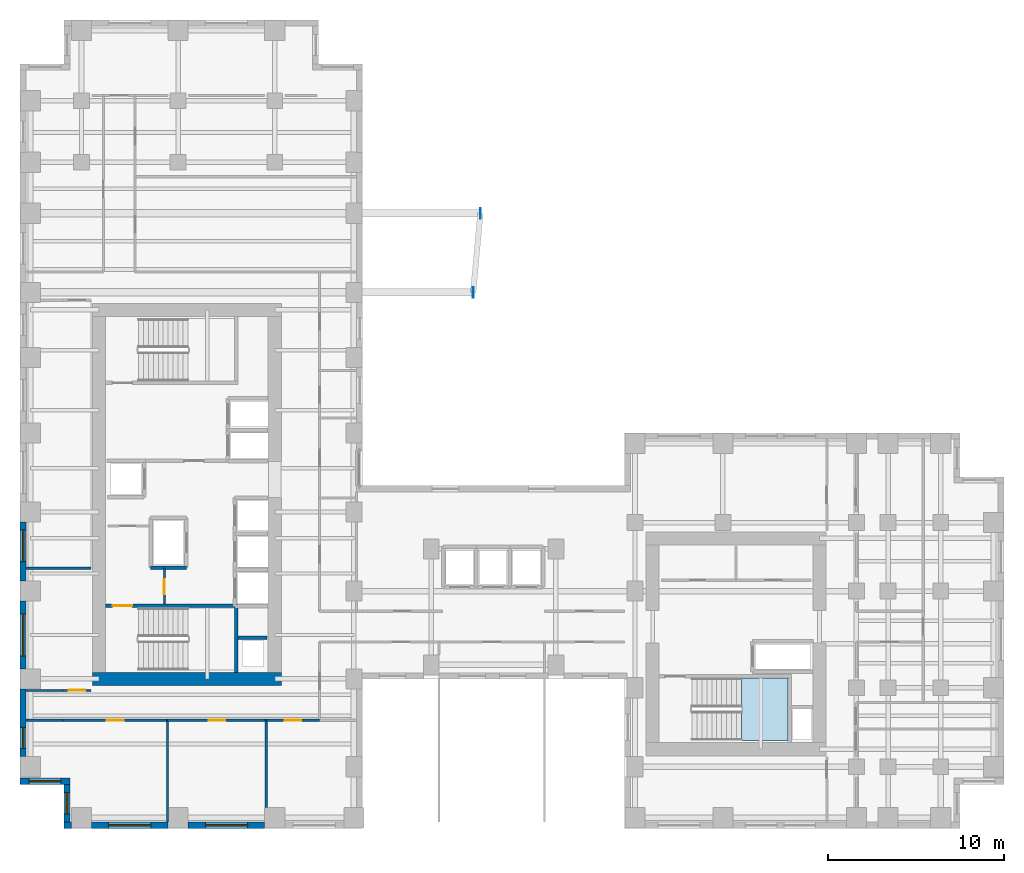
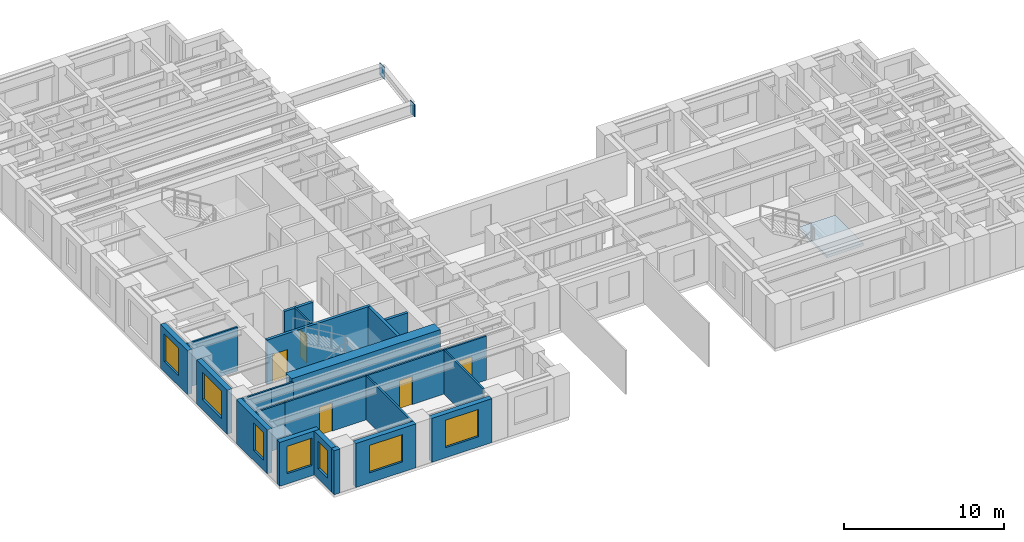
# One storey, part 5 of 13: 23 walls, 7 windows, 6 doors, 2 plates, 1 slab, 13 openings, 1 element without a shape of its own.
"""IFC4 building model written with IfcOpenShell, lengths in metres."""

import ifcopenshell
import ifcopenshell.guid

model = None  # the IFC model being written
_history = None  # IfcOwnerHistory: only IFC2X3 demands one
_inside = {}  # id of a spatial element -> (the spatial element, [elements in it])
_under = {}  # id of a project, library or spatial element -> (it, [spatial elements below it])
_declared = {}  # id of a project -> (the project, [libraries it declares])
_typed = {}  # id of a type object -> (the type object, [elements of that type])
_made_of = {}  # id of a material, layer set ... -> (it, [elements and type objects made of it])


def new_model(schema):
    """Start an empty IFC model of exactly this schema.

    Asked for "IFC4X3", IfcOpenShell would pick the latest addendum, in which some entities
    have other attributes; the version numbers below select the first issue.
    IFC2X3 requires an IfcOwnerHistory on every rooted entity: one is made here for all.
    """
    global model, _history
    if schema == "IFC4X3":
        model = ifcopenshell.file(schema_version=(4, 3, 0, 0))
    else:
        model = ifcopenshell.file(schema=schema)
    _inside.clear()
    _under.clear()
    _declared.clear()
    _typed.clear()
    _made_of.clear()
    _history = None
    if model.schema == "IFC2X3":
        org = make("IfcOrganization", Name="unknown")
        user = make(
            "IfcPersonAndOrganization",
            ThePerson=make("IfcPerson", FamilyName="unknown"),
            TheOrganization=org,
        )
        app = make(
            "IfcApplication",
            ApplicationDeveloper=org,
            Version="unknown",
            ApplicationFullName="unknown",
            ApplicationIdentifier="unknown",
        )
        _history = make(
            "IfcOwnerHistory",
            OwningUser=user,
            OwningApplication=app,
            ChangeAction="ADDED",
            CreationDate=0,
        )
    return model


def make(cls, **values):
    """One entity of the class cls with the attributes given. An attribute that is None is left unset."""
    return model.create_entity(
        cls, **{name: value for name, value in values.items() if value is not None}
    )


def rooted(cls, **values):
    """An entity with a GlobalId (a new one), such as an element, a storey or a relation."""
    return make(cls, GlobalId=ifcopenshell.guid.new(), OwnerHistory=_history, **values)


def si_unit(unit_type, name, prefix=None):
    """IfcSIUnit, for example si_unit("LENGTHUNIT", "METRE", prefix="MILLI")."""
    return make("IfcSIUnit", UnitType=unit_type, Prefix=prefix, Name=name)


def assignment(units):
    """IfcUnitAssignment: the units of a project."""
    return None if units is None else make("IfcUnitAssignment", Units=units)


def point(xyz):
    """IfcCartesianPoint."""
    return None if xyz is None else make("IfcCartesianPoint", Coordinates=xyz)


def direction(xyz):
    """IfcDirection."""
    return None if xyz is None else make("IfcDirection", DirectionRatios=xyz)


def frame(location, z_axis=None, x_axis=None):
    """IfcAxis2Placement3D, a coordinate frame: its origin and axes. An axis left out is left unset."""
    return make(
        "IfcAxis2Placement3D",
        Location=point(location),
        Axis=direction(z_axis),
        RefDirection=direction(x_axis),
    )


def frame_2d(location, x_axis=None):
    """IfcAxis2Placement2D, a coordinate frame in the plane: its origin and x axis."""
    return make(
        "IfcAxis2Placement2D", Location=point(location), RefDirection=direction(x_axis)
    )


def origin():
    """The frame at (0, 0, 0) with its axes left unset."""
    return frame((0.0, 0.0, 0.0))


def origin_2d():
    """The frame at (0, 0) in the plane with its x axis left unset."""
    return frame_2d((0.0, 0.0))


def place(relative_to, where):
    """IfcLocalPlacement: puts the frame where relative to a parent placement (None: the world)."""
    return make(
        "IfcLocalPlacement", PlacementRelTo=relative_to, RelativePlacement=where
    )


def context(
    kind, dimensions, precision=None, world=None, true_north=None, identifier=None
):
    """IfcGeometricRepresentationContext, for example the 3D "Model" context."""
    return make(
        "IfcGeometricRepresentationContext",
        ContextIdentifier=identifier,
        ContextType=kind,
        CoordinateSpaceDimension=dimensions,
        Precision=precision,
        WorldCoordinateSystem=world,
        TrueNorth=true_north,
    )


def subcontext(parent, identifier, kind, view, scale=None):
    """IfcGeometricRepresentationSubContext, for example "Body" below "Model"."""
    return make(
        "IfcGeometricRepresentationSubContext",
        ContextIdentifier=identifier,
        ContextType=kind,
        ParentContext=parent,
        TargetScale=scale,
        TargetView=view,
    )


def project(units=None, contexts=None):
    """IfcProject with its units and contexts."""
    return rooted(
        "IfcProject",
        Name="project",
        RepresentationContexts=contexts,
        UnitsInContext=assignment(units),
    )


def spatial(cls, under=None, at=None, **own):
    """A site, building, storey or space (cls), placed at a placement, below another one or the project."""
    s = rooted(cls, ObjectPlacement=at, **own)
    if under is not None:
        _under.setdefault(under.id(), (under, []))[1].append(s)
    return s


def polyline(points):
    """IfcPolyline through the points."""
    return make("IfcPolyline", Points=[point(p) for p in points])


def profile(cls, at=None, kind="AREA", **sizes):
    """A parametric profile (cls). Its sizes go by their IFC names, for example OverallWidth=200.0."""
    return make(cls, ProfileType=kind, Position=at, **sizes)


def rectangle(**sizes):
    """IfcRectangleProfileDef."""
    return profile("IfcRectangleProfileDef", **sizes)


def outline(outer, holes=None, kind="AREA"):
    """IfcArbitraryClosedProfileDef: a profile drawn as a closed curve; with holes, ...WithVoids."""
    if holes is None:
        return make("IfcArbitraryClosedProfileDef", ProfileType=kind, OuterCurve=outer)
    return make(
        "IfcArbitraryProfileDefWithVoids",
        ProfileType=kind,
        OuterCurve=outer,
        InnerCurves=holes,
    )


def extrude(swept, where, along, depth):
    """IfcExtrudedAreaSolid: the profile swept, set in the frame where, extruded along a direction by depth."""
    return make(
        "IfcExtrudedAreaSolid",
        SweptArea=swept,
        Position=where,
        ExtrudedDirection=direction(along),
        Depth=depth,
    )


def shape(context_of_items, identifier, shape_type, items):
    """IfcShapeRepresentation: the items that make up one representation, for example the "Body"."""
    return make(
        "IfcShapeRepresentation",
        ContextOfItems=context_of_items,
        RepresentationIdentifier=identifier,
        RepresentationType=shape_type,
        Items=items,
    )


def source(mapping_origin, context_of_items, identifier, shape_type, items):
    """IfcRepresentationMap: a shape defined once, which mapped items show again and again."""
    return make(
        "IfcRepresentationMap",
        MappingOrigin=mapping_origin,
        MappedRepresentation=shape(context_of_items, identifier, shape_type, items),
    )


def transform(
    local_origin,
    x_axis=None,
    y_axis=None,
    z_axis=None,
    scale=None,
    scale2=None,
    scale3=None,
    uniform=True,
):
    """IfcCartesianTransformationOperator3D, or its non-uniform kind. x_axis, y_axis, z_axis: its Axis1, 2, 3."""
    if uniform:
        return make(
            "IfcCartesianTransformationOperator3D",
            Axis1=direction(x_axis),
            Axis2=direction(y_axis),
            LocalOrigin=point(local_origin),
            Scale=scale,
            Axis3=direction(z_axis),
        )
    return make(
        "IfcCartesianTransformationOperator3DnonUniform",
        Axis1=direction(x_axis),
        Axis2=direction(y_axis),
        LocalOrigin=point(local_origin),
        Scale=scale,
        Axis3=direction(z_axis),
        Scale2=scale2,
        Scale3=scale3,
    )


def mapped(mapping_source, mapping_target):
    """IfcMappedItem: shows the shape of a source again, moved by a transform."""
    return make(
        "IfcMappedItem", MappingSource=mapping_source, MappingTarget=mapping_target
    )


def material(Name=None, Category=None):
    """IfcMaterial."""
    return make("IfcMaterial", Name=Name, Category=Category)


def layer(
    of_material, thickness, ventilated=None, Name=None, Category=None, Priority=None
):
    """IfcMaterialLayer: one layer of a wall or slab, of a material (None: an air gap)."""
    return make(
        "IfcMaterialLayer",
        Material=of_material,
        LayerThickness=thickness,
        IsVentilated=ventilated,
        Name=Name,
        Category=Category,
        Priority=Priority,
    )


def layer_set(layers, Name=None):
    """IfcMaterialLayerSet."""
    return make("IfcMaterialLayerSet", MaterialLayers=layers, LayerSetName=Name)


def made_of(thing, what):
    """Note that an element or type object is made of a material, layer set ...; save() writes the relation."""
    if what is not None:
        _made_of.setdefault(what.id(), (what, []))[1].append(thing)
    return thing


def type_object(cls, material=None, **own):
    """A type object (cls), such as IfcWallType, which elements share."""
    return made_of(rooted(cls, **own), material)


def element(
    cls,
    number,
    at=None,
    inside=None,
    cuts=None,
    type_object=None,
    material=None,
    context=None,
    identifier="Body",
    shape_type=None,
    held_by="IfcProductDefinitionShape",
    body=None,
    shapes=None,
    **own,
):
    """One element of the class cls, such as IfcWall. Its Tag is "e" and its number.

    at: its placement. inside: the storey or other place that contains it. cuts: it is an
    opening in that element (IfcRelVoidsElement). A single representation is given by context,
    identifier, shape_type and body (its items); several are given by shapes. held_by: the class
    of the entity that holds the representations. save() writes the other relations.
    """
    e = rooted(cls, Tag="e%d" % number, ObjectPlacement=at, **own)
    if body is not None:
        shapes = [shape(context, identifier, shape_type, body)]
    if shapes is not None:
        e.Representation = make(held_by, Representations=shapes)
    if inside is not None:
        _inside.setdefault(inside.id(), (inside, []))[1].append(e)
    if cuts is not None:
        rooted(
            "IfcRelVoidsElement", RelatingBuildingElement=cuts, RelatedOpeningElement=e
        )
    if type_object is not None:
        _typed.setdefault(type_object.id(), (type_object, []))[1].append(e)
    return made_of(e, material)


def fill(opening, filler):
    """IfcRelFillsElement: the door or window that sits in an opening."""
    return rooted(
        "IfcRelFillsElement",
        RelatingOpeningElement=opening,
        RelatedBuildingElement=filler,
    )


def aggregate(whole, parts):
    """IfcRelAggregates: a whole, such as a stair, and the parts it consists of."""
    return rooted("IfcRelAggregates", RelatingObject=whole, RelatedObjects=parts)


def save(model, path):
    """Write the relations noted so far, then the file.

    IfcRelAggregates (storeys below a building ...), IfcRelContainedInSpatialStructure (elements
    in a storey), IfcRelDefinesByType, IfcRelAssociatesMaterial and IfcRelDeclares: one each for
    every whole, place, type object, material and project.
    """
    for whole, parts in _under.values():
        aggregate(whole, parts)
    for where, things in _inside.values():
        rooted(
            "IfcRelContainedInSpatialStructure",
            RelatedElements=things,
            RelatingStructure=where,
        )
    for kind, things in _typed.values():
        rooted("IfcRelDefinesByType", RelatedObjects=things, RelatingType=kind)
    for what, things in _made_of.values():
        rooted("IfcRelAssociatesMaterial", RelatedObjects=things, RelatingMaterial=what)
    for by, libraries in _declared.values():
        rooted("IfcRelDeclares", RelatingContext=by, RelatedDefinitions=libraries)
    model.write(path)


model = new_model("IFC4")

# Units and contexts
model_context = context("Model", 3, precision=1e-05, world=origin(), true_north=direction((0.0, 1.0)))
body_context = subcontext(model_context, "Body", "Model", "MODEL_VIEW")
ifc_project = project(units=[si_unit("LENGTHUNIT", "METRE"), si_unit("AREAUNIT", "SQUARE_METRE"), si_unit("VOLUMEUNIT", "CUBIC_METRE"), si_unit("PLANEANGLEUNIT", "RADIAN"), si_unit("MASSUNIT", "GRAM", prefix="KILO")], contexts=[model_context])

# Site, building, storey
site_placement = place(None, origin())
site = spatial("IfcSite", under=ifc_project, at=site_placement, CompositionType="ELEMENT")
building_placement = place(site_placement, origin())
building = spatial("IfcBuilding", under=site, at=building_placement, Name="Kharzan Plaza Tower", CompositionType="ELEMENT")
storey_placement = place(building_placement, frame((0.0, 0.0, 95.39990234375)))
storey = spatial("IfcBuildingStorey", under=building, at=storey_placement, Name="L25", CompositionType="ELEMENT", Elevation=95.39990234375)

# Stair, slab
ifc_material_1 = material(Name="Concrete C40/50", Category="concrete")
stair_type = type_object("IfcStairType", Name="STR-ST-3", PredefinedType="HALF_TURN_STAIR", material=ifc_material_1)
stair_placement = place(storey_placement, origin())
stair = element("IfcStair", 1, at=stair_placement, inside=storey, type_object=stair_type, Name="L25 Protected Exit Stair ST-3", PredefinedType="HALF_TURN_STAIR")
ifc_layer_1 = layer(ifc_material_1, 0.219970703125)
ifc_layer_set_1 = layer_set([ifc_layer_1], Name="Concrete C40/50")
slab_type = type_object("IfcSlabType", Name="SL-LANDING-220", PredefinedType="LANDING", material=ifc_layer_set_1)
slab_placement = place(storey_placement, frame((0.0, 0.0, 1.60009765625)))
slab = element("IfcSlab", 2, at=slab_placement, type_object=slab_type, Name="ST-3 landing 1", PredefinedType="LANDING", context=body_context, shape_type="SweptSolid", body=[
    extrude(outline(polyline([(41.050048828125, 5.0), (43.699951171875, 5.0), (43.699951171875, 8.550048828125), (41.050048828125, 8.550048828125), (41.050048828125, 5.0)])), origin(), (0.0, 0.0, 1.0), 0.199951171875),
])
aggregate(stair, [slab])

# Plates
ifc_material_2 = material(Name="Steel S460", Category="steel")
ifc_layer_2 = layer(ifc_material_2, 0.0419921875)
ifc_layer_set_2 = layer_set([ifc_layer_2], Name="Steel S460")
plate_type = type_object("IfcPlateType", Name="PLT-ZTN1", PredefinedType="USERDEFINED", material=ifc_layer_set_2)
shared_shape_1 = source(origin(), body_context, "Body", "SweptSolid", [
    extrude(rectangle(XDim=0.60009765625, YDim=0.0419921875, at=origin_2d()), origin(), (0.0, 0.0, 1.0), 0.949951171875),
])
for number, where, z_axis, x_axis, name in (
    (3, (25.7900390625, 30.5, 2.4365234375), (0.0, 0.0, 1.0), (0.0, 1.0, 0.0), "L25 Sky-Terrace Cantilever Tip Plate ZTN1"),
    (4, (26.199951171875, 35.0, 2.4365234375), (0.0, 0.0, 1.0), (0.0, 1.0, 0.0), "L25 Sky-Terrace Cantilever Tip Plate ZTN1"),
):
    element("IfcPlate", number, at=place(storey_placement, frame(where, z_axis=z_axis, x_axis=x_axis)), inside=storey, type_object=plate_type, Name=name, ObjectType="FLANGE_PLATE", PredefinedType="USERDEFINED", context=body_context, shape_type="MappedRepresentation", body=[
        mapped(shared_shape_1, transform((0.0, 0.0, 0.0), x_axis=(1.0, 0.0, 0.0), y_axis=(0.0, 1.0, 0.0), z_axis=(0.0, 0.0, 1.0))),
    ])

# Wall, opening, window
ifc_layer_3 = layer(ifc_material_1, 0.35009765625)
ifc_layer_set_3 = layer_set([ifc_layer_3], Name="Concrete C40/50")
wall_type_1 = type_object("IfcWallType", Name="WL-EXT-MAS-Z2", PredefinedType="SOLIDWALL", material=ifc_layer_set_3)
wall_1_placement = place(storey_placement, frame((0.175048828125, 17.427001953125, 0.0), z_axis=(0.0, 0.0, 1.0), x_axis=(0.0, -1.0, 0.0)))
wall_1 = element("IfcWall", 5, at=wall_1_placement, inside=storey, type_object=wall_type_1, Name="L25 Masonry-Frame Exterior Wall 23", PredefinedType="SOLIDWALL", context=body_context, shape_type="SweptSolid", body=[
    extrude(rectangle(XDim=3.35400390625, YDim=0.35009765625, at=frame_2d((1.677001953125, 0.0))), origin(), (0.0, 0.0, 1.0), 3.364990234375),
])
opening_1_placement = place(wall_1_placement, frame((0.448486328125, 0.0, 0.780029296875)))
opening_1 = element("IfcOpeningElement", 6, at=opening_1_placement, cuts=wall_1, Name="Opening W1", PredefinedType="OPENING", context=body_context, shape_type="SweptSolid", body=[
    extrude(rectangle(XDim=1.800048828125, YDim=2.10009765625, at=frame_2d((0.89990234375, 1.050048828125))), frame((0.0, 0.18505859375, 0.0), z_axis=(0.0, -1.0, 0.0), x_axis=(1.0, 0.0, 0.0)), (0.0, 0.0, 1.0), 0.3701171875),
])
ifc_material_3 = material(Name="Low-E Double Glazing", Category="glass")
window_type_1 = type_object("IfcWindowType", Name="WN-REC-1800x2100", PartitioningType="SINGLE_PANEL", PredefinedType="WINDOW", material=ifc_material_3)
shared_shape_2 = source(origin(), body_context, "Body", "SweptSolid", [
    extrude(rectangle(XDim=1.800048828125, YDim=2.10009765625, at=frame_2d((0.89990234375, 1.050048828125))), frame((0.0, 0.030029296875, 0.0), z_axis=(0.0, -1.0, 0.0), x_axis=(1.0, 0.0, 0.0)), (0.0, 0.0, 1.0), 0.06005859375),
])
window_1_placement = place(opening_1_placement, origin())
window_1 = element("IfcWindow", 7, at=window_1_placement, inside=storey, type_object=window_type_1, Name="L25 Recessed Solar-Control Window 23-1", OverallHeight=2.10009765625, OverallWidth=1.800048828125, PartitioningType="SINGLE_PANEL", PredefinedType="WINDOW", context=body_context, shape_type="MappedRepresentation", body=[
    mapped(shared_shape_2, transform((0.0, 0.0, 0.0), x_axis=(1.0, 0.0, 0.0), y_axis=(0.0, 1.0, 0.0), z_axis=(0.0, 0.0, 1.0))),
])
fill(opening_1, window_1)

wall_2_placement = place(storey_placement, frame((0.175048828125, 12.927001953125, 0.0), z_axis=(0.0, 0.0, 1.0), x_axis=(0.0, -1.0, 0.0)))
wall_2 = element("IfcWall", 8, at=wall_2_placement, inside=storey, type_object=wall_type_1, Name="L25 Masonry-Frame Exterior Wall 24", PredefinedType="SOLIDWALL", context=body_context, shape_type="SweptSolid", body=[
    extrude(rectangle(XDim=3.85400390625, YDim=0.35009765625, at=frame_2d((1.927001953125, 0.0))), origin(), (0.0, 0.0, 1.0), 3.364990234375),
])
opening_2_placement = place(wall_2_placement, frame((0.72705078125, 0.0, 0.780029296875)))
opening_2 = element("IfcOpeningElement", 9, at=opening_2_placement, cuts=wall_2, Name="Opening W2", PredefinedType="OPENING", context=body_context, shape_type="SweptSolid", body=[
    extrude(rectangle(XDim=2.39990234375, YDim=2.10009765625, at=frame_2d((1.199951171875, 1.050048828125))), frame((0.0, 0.18505859375, 0.0), z_axis=(0.0, -1.0, 0.0), x_axis=(1.0, 0.0, 0.0)), (0.0, 0.0, 1.0), 0.3701171875),
])
window_type_2 = type_object("IfcWindowType", Name="WN-REC-2400x2100", PartitioningType="SINGLE_PANEL", PredefinedType="WINDOW", material=ifc_material_3)
shared_shape_3 = source(origin(), body_context, "Body", "SweptSolid", [
    extrude(rectangle(XDim=2.39990234375, YDim=2.10009765625, at=frame_2d((1.199951171875, 1.050048828125))), frame((0.0, 0.030029296875, 0.0), z_axis=(0.0, -1.0, 0.0), x_axis=(1.0, 0.0, 0.0)), (0.0, 0.0, 1.0), 0.06005859375),
])
window_2_placement = place(opening_2_placement, origin())
window_2 = element("IfcWindow", 10, at=window_2_placement, inside=storey, type_object=window_type_2, Name="L25 Wide Recessed Solar-Control Window 24-1", OverallHeight=2.10009765625, OverallWidth=2.39990234375, PartitioningType="SINGLE_PANEL", PredefinedType="WINDOW", context=body_context, shape_type="MappedRepresentation", body=[
    mapped(shared_shape_3, transform((0.0, 0.0, 0.0), x_axis=(1.0, 0.0, 0.0), y_axis=(0.0, 1.0, 0.0), z_axis=(0.0, 0.0, 1.0))),
])
fill(opening_2, window_2)

wall_3_placement = place(storey_placement, frame((0.175048828125, 7.927001953125, 0.0), z_axis=(0.0, 0.0, 1.0), x_axis=(0.0, -1.0, 0.0)))
wall_3 = element("IfcWall", 11, at=wall_3_placement, inside=storey, type_object=wall_type_1, Name="L25 Masonry-Frame Exterior Wall 25", PredefinedType="SOLIDWALL", context=body_context, shape_type="SweptSolid", body=[
    extrude(rectangle(XDim=3.85400390625, YDim=0.35009765625, at=frame_2d((1.927001953125, 0.0))), origin(), (0.0, 0.0, 1.0), 3.364990234375),
])
opening_3_placement = place(wall_3_placement, frame((2.180419921875, 0.0, 0.780029296875)))
opening_3 = element("IfcOpeningElement", 12, at=opening_3_placement, cuts=wall_3, Name="Opening W3", PredefinedType="OPENING", context=body_context, shape_type="SweptSolid", body=[
    extrude(rectangle(XDim=1.199951171875, YDim=2.10009765625, at=frame_2d((0.60009765625, 1.050048828125))), frame((0.0, 0.18505859375, 0.0), z_axis=(0.0, -1.0, 0.0), x_axis=(1.0, 0.0, 0.0)), (0.0, 0.0, 1.0), 0.3701171875),
])
window_type_3 = type_object("IfcWindowType", Name="WN-REC-1200x2100", PartitioningType="SINGLE_PANEL", PredefinedType="WINDOW", material=ifc_material_3)
shared_shape_4 = source(origin(), body_context, "Body", "SweptSolid", [
    extrude(rectangle(XDim=1.199951171875, YDim=2.10009765625, at=frame_2d((0.60009765625, 1.050048828125))), frame((0.0, 0.030029296875, 0.0), z_axis=(0.0, -1.0, 0.0), x_axis=(1.0, 0.0, 0.0)), (0.0, 0.0, 1.0), 0.06005859375),
])
window_3_placement = place(opening_3_placement, origin())
window_3 = element("IfcWindow", 13, at=window_3_placement, inside=storey, type_object=window_type_3, Name="L25 Recessed Solar-Control Window 25-1", OverallHeight=2.10009765625, OverallWidth=1.199951171875, PartitioningType="SINGLE_PANEL", PredefinedType="WINDOW", context=body_context, shape_type="MappedRepresentation", body=[
    mapped(shared_shape_4, transform((0.0, 0.0, 0.0), x_axis=(1.0, 0.0, 0.0), y_axis=(0.0, 1.0, 0.0), z_axis=(0.0, 0.0, 1.0))),
])
fill(opening_3, window_3)

wall_4_placement = place(storey_placement, frame((0.0, 2.675048828125, 0.0), z_axis=(0.0, 0.0, 1.0), x_axis=(1.0, 0.0, 0.0)))
wall_4 = element("IfcWall", 14, at=wall_4_placement, inside=storey, type_object=wall_type_1, Name="L25 Masonry-Frame Exterior Wall 26", PredefinedType="SOLIDWALL", context=body_context, shape_type="SweptSolid", body=[
    extrude(rectangle(XDim=2.85009765625, YDim=0.35009765625, at=frame_2d((1.425048828125, 0.0))), origin(), (0.0, 0.0, 1.0), 3.364990234375),
])
opening_4_placement = place(wall_4_placement, frame((0.52490234375, 0.0, 0.780029296875)))
opening_4 = element("IfcOpeningElement", 15, at=opening_4_placement, cuts=wall_4, Name="Opening W1", PredefinedType="OPENING", context=body_context, shape_type="SweptSolid", body=[
    extrude(rectangle(XDim=1.800048828125, YDim=2.10009765625, at=frame_2d((0.89990234375, 1.050048828125))), frame((0.0, 0.18505859375, 0.0), z_axis=(0.0, -1.0, 0.0), x_axis=(1.0, 0.0, 0.0)), (0.0, 0.0, 1.0), 0.3701171875),
])
window_4_placement = place(opening_4_placement, origin())
window_4 = element("IfcWindow", 16, at=window_4_placement, inside=storey, type_object=window_type_1, Name="L25 Recessed Solar-Control Window 26-1", OverallHeight=2.10009765625, OverallWidth=1.800048828125, PartitioningType="SINGLE_PANEL", PredefinedType="WINDOW", context=body_context, shape_type="MappedRepresentation", body=[
    mapped(shared_shape_2, transform((0.0, 0.0, 0.0), x_axis=(1.0, 0.0, 0.0), y_axis=(0.0, 1.0, 0.0), z_axis=(0.0, 0.0, 1.0))),
])
fill(opening_4, window_4)

wall_5_placement = place(storey_placement, frame((2.675048828125, 2.501953125, 0.0), z_axis=(0.0, 0.0, 1.0), x_axis=(0.0, -1.0, 0.0)))
wall_5 = element("IfcWall", 17, at=wall_5_placement, inside=storey, type_object=wall_type_1, Name="L25 Masonry-Frame Exterior Wall 27", PredefinedType="SOLIDWALL", context=body_context, shape_type="SweptSolid", body=[
    extrude(rectangle(XDim=2.154052734375, YDim=0.35009765625, at=frame_2d((1.0771484375, 0.0))), origin(), (0.0, 0.0, 1.0), 3.364990234375),
])
opening_5_placement = place(wall_5_placement, frame((0.47705078125, 0.0, 0.780029296875)))
opening_5 = element("IfcOpeningElement", 18, at=opening_5_placement, cuts=wall_5, Name="Opening W3", PredefinedType="OPENING", context=body_context, shape_type="SweptSolid", body=[
    extrude(rectangle(XDim=1.199951171875, YDim=2.10009765625, at=frame_2d((0.60009765625, 1.050048828125))), frame((0.0, 0.18505859375, 0.0), z_axis=(0.0, -1.0, 0.0), x_axis=(1.0, 0.0, 0.0)), (0.0, 0.0, 1.0), 0.3701171875),
])
window_5_placement = place(opening_5_placement, origin())
window_5 = element("IfcWindow", 19, at=window_5_placement, inside=storey, type_object=window_type_3, Name="L25 Recessed Solar-Control Window 27-1", OverallHeight=2.10009765625, OverallWidth=1.199951171875, PartitioningType="SINGLE_PANEL", PredefinedType="WINDOW", context=body_context, shape_type="MappedRepresentation", body=[
    mapped(shared_shape_4, transform((0.0, 0.0, 0.0), x_axis=(1.0, 0.0, 0.0), y_axis=(0.0, 1.0, 0.0), z_axis=(0.0, 0.0, 1.0))),
])
fill(opening_5, window_5)

wall_6_placement = place(storey_placement, frame((4.072998046875, 0.175048828125, 0.0), z_axis=(0.0, 0.0, 1.0), x_axis=(1.0, 0.0, 0.0)))
wall_6 = element("IfcWall", 20, at=wall_6_placement, inside=storey, type_object=wall_type_1, Name="L25 Masonry-Frame Exterior Wall 29", PredefinedType="SOLIDWALL", context=body_context, shape_type="SweptSolid", body=[
    extrude(rectangle(XDim=4.35400390625, YDim=0.35009765625, at=frame_2d((2.177001953125, 0.0))), origin(), (0.0, 0.0, 1.0), 3.364990234375),
])
opening_6_placement = place(wall_6_placement, frame((0.97705078125, 0.0, 0.780029296875)))
opening_6 = element("IfcOpeningElement", 21, at=opening_6_placement, cuts=wall_6, Name="Opening W2", PredefinedType="OPENING", context=body_context, shape_type="SweptSolid", body=[
    extrude(rectangle(XDim=2.39990234375, YDim=2.10009765625, at=frame_2d((1.199951171875, 1.050048828125))), frame((0.0, 0.18505859375, 0.0), z_axis=(0.0, -1.0, 0.0), x_axis=(1.0, 0.0, 0.0)), (0.0, 0.0, 1.0), 0.3701171875),
])
window_6_placement = place(opening_6_placement, origin())
window_6 = element("IfcWindow", 22, at=window_6_placement, inside=storey, type_object=window_type_2, Name="L25 Wide Recessed Solar-Control Window 29-1", OverallHeight=2.10009765625, OverallWidth=2.39990234375, PartitioningType="SINGLE_PANEL", PredefinedType="WINDOW", context=body_context, shape_type="MappedRepresentation", body=[
    mapped(shared_shape_3, transform((0.0, 0.0, 0.0), x_axis=(1.0, 0.0, 0.0), y_axis=(0.0, 1.0, 0.0), z_axis=(0.0, 0.0, 1.0))),
])
fill(opening_6, window_6)

wall_7_placement = place(storey_placement, frame((9.572998046875, 0.175048828125, 0.0), z_axis=(0.0, 0.0, 1.0), x_axis=(1.0, 0.0, 0.0)))
wall_7 = element("IfcWall", 23, at=wall_7_placement, inside=storey, type_object=wall_type_1, Name="L25 Masonry-Frame Exterior Wall 30", PredefinedType="SOLIDWALL", context=body_context, shape_type="SweptSolid", body=[
    extrude(rectangle(XDim=4.35400390625, YDim=0.35009765625, at=frame_2d((2.177001953125, 0.0))), origin(), (0.0, 0.0, 1.0), 3.364990234375),
])
opening_7_placement = place(wall_7_placement, frame((0.97705078125, 0.0, 0.780029296875)))
opening_7 = element("IfcOpeningElement", 24, at=opening_7_placement, cuts=wall_7, Name="Opening W2", PredefinedType="OPENING", context=body_context, shape_type="SweptSolid", body=[
    extrude(rectangle(XDim=2.39990234375, YDim=2.10009765625, at=frame_2d((1.199951171875, 1.050048828125))), frame((0.0, 0.18505859375, 0.0), z_axis=(0.0, -1.0, 0.0), x_axis=(1.0, 0.0, 0.0)), (0.0, 0.0, 1.0), 0.3701171875),
])
window_7_placement = place(opening_7_placement, origin())
window_7 = element("IfcWindow", 25, at=window_7_placement, inside=storey, type_object=window_type_2, Name="L25 Wide Recessed Solar-Control Window 30-1", OverallHeight=2.10009765625, OverallWidth=2.39990234375, PartitioningType="SINGLE_PANEL", PredefinedType="WINDOW", context=body_context, shape_type="MappedRepresentation", body=[
    mapped(shared_shape_3, transform((0.0, 0.0, 0.0), x_axis=(1.0, 0.0, 0.0), y_axis=(0.0, 1.0, 0.0), z_axis=(0.0, 0.0, 1.0))),
])
fill(opening_7, window_7)

# Wall, opening, door
ifc_material_4 = material(Name="Fire-Rated Gypsum Board Partition", Category="gypsum")
ifc_layer_4 = layer(ifc_material_4, 0.125)
ifc_layer_set_4 = layer_set([ifc_layer_4], Name="Fire-Rated Gypsum Board Partition")
wall_type_2 = type_object("IfcWallType", Name="WL-INT-PART-125", PredefinedType="PARTITIONING", material=ifc_layer_set_4)
wall_8_placement = place(storey_placement, frame((8.219970703125, 12.75, 0.0), z_axis=(0.0, 0.0, 1.0), x_axis=(0.0, 1.0, 0.0)))
wall_8 = element("IfcWall", 26, at=wall_8_placement, inside=storey, type_object=wall_type_2, Name="L25 Interior Partition CA-K1E", PredefinedType="PARTITIONING", context=body_context, shape_type="SweptSolid", body=[
    extrude(rectangle(XDim=2.070068359375, YDim=0.125, at=frame_2d((1.03515625, 0.0))), origin(), (0.0, 0.0, 1.0), 3.364990234375),
])
opening_8_placement = place(wall_8_placement, frame((0.56005859375, 0.0, 0.0)))
opening_8 = element("IfcOpeningElement", 27, at=opening_8_placement, cuts=wall_8, Name="Opening RD1", PredefinedType="OPENING", context=body_context, shape_type="SweptSolid", body=[
    extrude(rectangle(XDim=0.85009765625, YDim=2.10009765625, at=frame_2d((0.425048828125, 1.050048828125))), frame((0.0, 0.072509765625, 0.0), z_axis=(0.0, -1.0, 0.0), x_axis=(1.0, 0.0, 0.0)), (0.0, 0.0, 1.0), 0.14501953125),
])
ifc_material_5 = material(Name="Powder-Coated Fire-Rated Steel", Category="steel")
door_type_1 = type_object("IfcDoorType", Name="DR-RISER-900", OperationType="NOTDEFINED", PredefinedType="DOOR", material=ifc_material_5)
shared_shape_5 = source(origin(), body_context, "Body", "SweptSolid", [
    extrude(rectangle(XDim=0.85009765625, YDim=2.10009765625, at=frame_2d((0.425048828125, 1.050048828125))), frame((0.0, 0.02490234375, 0.0), z_axis=(0.0, -1.0, 0.0), x_axis=(1.0, 0.0, 0.0)), (0.0, 0.0, 1.0), 0.050048828125),
])
door_1_placement = place(opening_8_placement, origin())
door_1 = element("IfcDoor", 28, at=door_1_placement, inside=storey, type_object=door_type_1, Name="L25 Core Service Store Door", OperationType="SINGLE_SWING_RIGHT", OverallHeight=2.10009765625, OverallWidth=0.85009765625, PredefinedType="DOOR", context=body_context, shape_type="MappedRepresentation", body=[
    mapped(shared_shape_5, transform((0.0, 0.0, 0.0), x_axis=(1.0, 0.0, 0.0), y_axis=(0.0, 1.0, 0.0), z_axis=(0.0, 0.0, 1.0))),
])
fill(opening_8, door_1)

wall_9_placement = place(storey_placement, frame((2.449951171875, 7.85009765625, 0.0), z_axis=(0.0, 0.0, 1.0), x_axis=(1.0, 0.0, 0.0)))
wall_9 = element("IfcWall", 29, at=wall_9_placement, inside=storey, type_object=wall_type_2, Name="L25 Interior Partition SH-RWSD", PredefinedType="PARTITIONING", context=body_context, shape_type="SweptSolid", body=[
    extrude(rectangle(XDim=1.60009765625, YDim=0.125, at=frame_2d((0.800048828125, 0.0))), origin(), (0.0, 0.0, 1.0), 3.364990234375),
])
opening_9_placement = place(wall_9_placement, frame((0.324951171875, 0.0, 0.0)))
opening_9 = element("IfcOpeningElement", 30, at=opening_9_placement, cuts=wall_9, Name="Opening OD1", PredefinedType="OPENING", context=body_context, shape_type="SweptSolid", body=[
    extrude(rectangle(XDim=0.949951171875, YDim=2.14990234375, at=frame_2d((0.47509765625, 1.074951171875))), frame((0.0, 0.072509765625, 0.0), z_axis=(0.0, -1.0, 0.0), x_axis=(1.0, 0.0, 0.0)), (0.0, 0.0, 1.0), 0.14501953125),
])
ifc_material_6 = material(Name="Acoustic Solid-Core Stained Oak", Category="timber")
door_type_2 = type_object("IfcDoorType", Name="DR-OFF-SINGLE", OperationType="NOTDEFINED", PredefinedType="DOOR", material=ifc_material_6)
shared_shape_6 = source(origin(), body_context, "Body", "SweptSolid", [
    extrude(rectangle(XDim=0.949951171875, YDim=2.14990234375, at=frame_2d((0.47509765625, 1.074951171875))), frame((0.0, 0.02490234375, 0.0), z_axis=(0.0, -1.0, 0.0), x_axis=(1.0, 0.0, 0.0)), (0.0, 0.0, 1.0), 0.050048828125),
])
door_2_placement = place(opening_9_placement, origin())
door_2 = element("IfcDoor", 31, at=door_2_placement, inside=storey, type_object=door_type_2, Name="L25 West Office 1 Door", OperationType="SINGLE_SWING_RIGHT", OverallHeight=2.14990234375, OverallWidth=0.949951171875, PredefinedType="DOOR", context=body_context, shape_type="MappedRepresentation", body=[
    mapped(shared_shape_6, transform((0.0, 0.0, 0.0), x_axis=(1.0, 0.0, 0.0), y_axis=(0.0, 1.0, 0.0), z_axis=(0.0, 0.0, 1.0))),
])
fill(opening_9, door_2)

wall_10_placement = place(storey_placement, frame((2.449951171875, 6.14990234375, 0.0), z_axis=(0.0, 0.0, 1.0), x_axis=(1.0, 0.0, 0.0)))
wall_10 = element("IfcWall", 32, at=wall_10_placement, inside=storey, type_object=wall_type_2, Name="L25 Interior Partition SH-SS-1", PredefinedType="PARTITIONING", context=body_context, shape_type="SweptSolid", body=[
    extrude(rectangle(XDim=5.942138671875, YDim=0.125, at=frame_2d((2.97119140625, 0.0))), origin(), (0.0, 0.0, 1.0), 3.364990234375),
])
opening_10_placement = place(wall_10_placement, frame((2.49609375, 0.0, 0.0)))
opening_10 = element("IfcOpeningElement", 33, at=opening_10_placement, cuts=wall_10, Name="Opening OD1", PredefinedType="OPENING", context=body_context, shape_type="SweptSolid", body=[
    extrude(rectangle(XDim=0.949951171875, YDim=2.14990234375, at=frame_2d((0.47509765625, 1.074951171875))), frame((0.0, 0.072509765625, 0.0), z_axis=(0.0, -1.0, 0.0), x_axis=(1.0, 0.0, 0.0)), (0.0, 0.0, 1.0), 0.14501953125),
])
door_3_placement = place(opening_10_placement, origin())
door_3 = element("IfcDoor", 34, at=door_3_placement, inside=storey, type_object=door_type_2, Name="L25 Lab Safety Briefing Room Door", OperationType="SINGLE_SWING_RIGHT", OverallHeight=2.14990234375, OverallWidth=0.949951171875, PredefinedType="DOOR", context=body_context, shape_type="MappedRepresentation", body=[
    mapped(shared_shape_6, transform((0.0, 0.0, 0.0), x_axis=(1.0, 0.0, 0.0), y_axis=(0.0, 1.0, 0.0), z_axis=(0.0, 0.0, 1.0))),
])
fill(opening_10, door_3)

wall_11_placement = place(storey_placement, frame((8.39208984375, 6.14990234375, 0.0), z_axis=(0.0, 0.0, 1.0), x_axis=(1.0, 0.0, 0.0)))
wall_11 = element("IfcWall", 35, at=wall_11_placement, inside=storey, type_object=wall_type_2, Name="L25 Interior Partition SH-SS-2", PredefinedType="PARTITIONING", context=body_context, shape_type="SweptSolid", body=[
    extrude(rectangle(XDim=5.626953125, YDim=0.125, at=frame_2d((2.8134765625, 0.0))), origin(), (0.0, 0.0, 1.0), 3.364990234375),
])
opening_11_placement = place(wall_11_placement, frame((2.33837890625, 0.0, 0.0)))
opening_11 = element("IfcOpeningElement", 36, at=opening_11_placement, cuts=wall_11, Name="Opening OD1", PredefinedType="OPENING", context=body_context, shape_type="SweptSolid", body=[
    extrude(rectangle(XDim=0.949951171875, YDim=2.14990234375, at=frame_2d((0.47509765625, 1.074951171875))), frame((0.0, 0.072509765625, 0.0), z_axis=(0.0, -1.0, 0.0), x_axis=(1.0, 0.0, 0.0)), (0.0, 0.0, 1.0), 0.14501953125),
])
door_4_placement = place(opening_11_placement, origin())
door_4 = element("IfcDoor", 37, at=door_4_placement, inside=storey, type_object=door_type_2, Name="L25 Data Processing Office Door", OperationType="SINGLE_SWING_LEFT", OverallHeight=2.14990234375, OverallWidth=0.949951171875, PredefinedType="DOOR", context=body_context, shape_type="MappedRepresentation", body=[
    mapped(shared_shape_6, transform((0.0, 0.0, 0.0), x_axis=(1.0, 0.0, 0.0), y_axis=(0.0, 1.0, 0.0), z_axis=(0.0, 0.0, 1.0))),
])
fill(opening_11, door_4)

wall_12_placement = place(storey_placement, frame((14.01904296875, 6.14990234375, 0.0), z_axis=(0.0, 0.0, 1.0), x_axis=(1.0, 0.0, 0.0)))
wall_12 = element("IfcWall", 38, at=wall_12_placement, inside=storey, type_object=wall_type_2, Name="L25 Interior Partition SH-SS-3", PredefinedType="PARTITIONING", context=body_context, shape_type="SweptSolid", body=[
    extrude(rectangle(XDim=3.031005859375, YDim=0.125, at=frame_2d((1.515625, 0.0))), origin(), (0.0, 0.0, 1.0), 3.364990234375),
])
opening_12_placement = place(wall_12_placement, frame((1.04052734375, 0.0, 0.0)))
opening_12 = element("IfcOpeningElement", 39, at=opening_12_placement, cuts=wall_12, Name="Opening OD1", PredefinedType="OPENING", context=body_context, shape_type="SweptSolid", body=[
    extrude(rectangle(XDim=0.949951171875, YDim=2.14990234375, at=frame_2d((0.47509765625, 1.074951171875))), frame((0.0, 0.072509765625, 0.0), z_axis=(0.0, -1.0, 0.0), x_axis=(1.0, 0.0, 0.0)), (0.0, 0.0, 1.0), 0.14501953125),
])
door_5_placement = place(opening_12_placement, origin())
door_5 = element("IfcDoor", 40, at=door_5_placement, inside=storey, type_object=door_type_2, Name="L25 Staff Tea Pantry Door", OperationType="SINGLE_SWING_RIGHT", OverallHeight=2.14990234375, OverallWidth=0.949951171875, PredefinedType="DOOR", context=body_context, shape_type="MappedRepresentation", body=[
    mapped(shared_shape_6, transform((0.0, 0.0, 0.0), x_axis=(1.0, 0.0, 0.0), y_axis=(0.0, 1.0, 0.0), z_axis=(0.0, 0.0, 1.0))),
])
fill(opening_12, door_5)

ifc_material_7 = material(Name="Concrete C50/60", Category="concrete")
ifc_layer_5 = layer(ifc_material_7, 0.199951171875)
ifc_layer_set_5 = layer_set([ifc_layer_5], Name="Concrete C50/60")
wall_type_3 = type_object("IfcWallType", Name="WL-SHAFT-RC200", PredefinedType="SHEAR", material=ifc_layer_set_5)
wall_13_placement = place(storey_placement, frame((4.876953125, 12.655029296875, 0.0), z_axis=(0.0, 0.0, 1.0), x_axis=(1.0, 0.0, 0.0)))
wall_13 = element("IfcWall", 41, at=wall_13_placement, inside=storey, type_object=wall_type_3, Name="L25 Stair ST-1 North RC Shaft Wall", PredefinedType="SHEAR", context=body_context, shape_type="SweptSolid", body=[
    extrude(rectangle(XDim=7.528076171875, YDim=0.199951171875, at=frame_2d((3.76416015625, 0.0))), origin(), (0.0, 0.0, 1.0), 3.380126953125),
])
opening_13_placement = place(wall_13_placement, frame((0.39990234375, 0.0, 0.0)))
opening_13 = element("IfcOpeningElement", 42, at=opening_13_placement, cuts=wall_13, Name="Opening SD1", PredefinedType="OPENING", context=body_context, shape_type="SweptSolid", body=[
    extrude(rectangle(XDim=1.10009765625, YDim=2.14990234375, at=frame_2d((0.550048828125, 1.074951171875))), frame((0.0, 0.10986328125, 0.0), z_axis=(0.0, -1.0, 0.0), x_axis=(1.0, 0.0, 0.0)), (0.0, 0.0, 1.0), 0.219970703125),
])
ifc_material_8 = material(Name="Fire-Rated Hollow Galvanized Steel", Category="steel")
door_type_3 = type_object("IfcDoorType", Name="DR-STAIR-FD120", OperationType="NOTDEFINED", PredefinedType="DOOR", material=ifc_material_8)
shared_shape_7 = source(origin(), body_context, "Body", "SweptSolid", [
    extrude(rectangle(XDim=1.10009765625, YDim=2.14990234375, at=frame_2d((0.550048828125, 1.074951171875))), frame((0.0, 0.02490234375, 0.0), z_axis=(0.0, -1.0, 0.0), x_axis=(1.0, 0.0, 0.0)), (0.0, 0.0, 1.0), 0.050048828125),
])
door_6_placement = place(opening_13_placement, origin())
door_6 = element("IfcDoor", 43, at=door_6_placement, inside=storey, type_object=door_type_3, Name="L25 Stair ST-1 Fire Exit Door", OperationType="SINGLE_SWING_RIGHT", OverallHeight=2.14990234375, OverallWidth=1.10009765625, PredefinedType="DOOR", context=body_context, shape_type="MappedRepresentation", body=[
    mapped(shared_shape_7, transform((0.0, 0.0, 0.0), x_axis=(1.0, 0.0, 0.0), y_axis=(0.0, 1.0, 0.0), z_axis=(0.0, 0.0, 1.0))),
])
fill(opening_13, door_6)

# Walls
ifc_layer_6 = layer(ifc_material_1, 0.199951171875)
ifc_layer_set_6 = layer_set([ifc_layer_6], Name="Concrete C40/50")
wall_type_4 = type_object("IfcWallType", Name="WL-INT-SHAFT-200", PredefinedType="PARTITIONING", material=ifc_layer_set_6)
shared_shape_8 = source(origin(), body_context, "Body", "SweptSolid", [
    extrude(rectangle(XDim=2.0400390625, YDim=0.199951171875, at=frame_2d((1.02001953125, 0.0))), origin(), (0.0, 0.0, 1.0), 3.364990234375),
])
wall_14_placement = place(storey_placement, frame((7.429931640625, 14.830078125, 0.0), z_axis=(0.0, 0.0, 1.0), x_axis=(1.0, 0.0, 0.0)))
element("IfcWall", 44, at=wall_14_placement, inside=storey, type_object=wall_type_4, Name="L25 Interior Partition SHF-SVL-1-S", PredefinedType="PARTITIONING", context=body_context, shape_type="MappedRepresentation", body=[
    mapped(shared_shape_8, transform((0.0, 0.0, 0.0), x_axis=(1.0, 0.0, 0.0), y_axis=(0.0, 1.0, 0.0), z_axis=(0.0, 0.0, 1.0))),
])
shared_shape_9 = source(origin(), body_context, "Body", "SweptSolid", [
    extrude(rectangle(XDim=2.097900390625, YDim=0.125, at=frame_2d((1.048828125, 0.0))), origin(), (0.0, 0.0, 1.0), 3.364990234375),
])
for number, where, z_axis, x_axis, name in (
    (45, (0.35205078125, 7.85009765625, 0.0), (0.0, 0.0, 1.0), (1.0, 0.0, 0.0), "L25 Interior Partition SH-RWS0"),
    (46, (0.35205078125, 6.14990234375, 0.0), (0.0, 0.0, 1.0), (1.0, 0.0, 0.0), "L25 Interior Partition SH-SS-EXT"),
):
    element("IfcWall", number, at=place(storey_placement, frame(where, z_axis=z_axis, x_axis=x_axis)), inside=storey, type_object=wall_type_2, Name=name, PredefinedType="PARTITIONING", context=body_context, shape_type="MappedRepresentation", body=[
        mapped(shared_shape_9, transform((0.0, 0.0, 0.0), x_axis=(1.0, 0.0, 0.0), y_axis=(0.0, 1.0, 0.0), z_axis=(0.0, 0.0, 1.0))),
    ])
shared_shape_10 = source(origin(), body_context, "Body", "SweptSolid", [
    extrude(rectangle(XDim=5.7978515625, YDim=0.125, at=frame_2d((2.89892578125, 0.0))), origin(), (0.0, 0.0, 1.0), 3.364990234375),
])
wall_15_placement = place(storey_placement, frame((8.39208984375, 0.35205078125, 0.0), z_axis=(0.0, 0.0, 1.0), x_axis=(0.0, 1.0, 0.0)))
element("IfcWall", 47, at=wall_15_placement, inside=storey, type_object=wall_type_2, Name="L25 Interior Partition SH-SV-1", PredefinedType="PARTITIONING", context=body_context, shape_type="MappedRepresentation", body=[
    mapped(shared_shape_10, transform((0.0, 0.0, 0.0), x_axis=(1.0, 0.0, 0.0), y_axis=(0.0, 1.0, 0.0), z_axis=(0.0, 0.0, 1.0))),
])
ifc_material_9 = material(Name="Concrete C60/75", Category="concrete")
ifc_layer_7 = layer(ifc_material_9, 0.75)
ifc_layer_set_7 = layer_set([ifc_layer_7], Name="Concrete C60/75")
wall_type_5 = type_object("IfcWallType", Name="WL-CORE-750", PredefinedType="SHEAR", material=ifc_layer_set_7)
shared_shape_11 = source(origin(), body_context, "Body", "SweptSolid", [
    extrude(rectangle(XDim=10.75, YDim=0.75, at=frame_2d((5.375, 0.0))), origin(), (0.0, 0.0, 1.0), 3.380126953125),
])
wall_16_placement = place(storey_placement, frame((4.125, 8.5, 0.0), z_axis=(0.0, 0.0, 1.0), x_axis=(1.0, 0.0, 0.0)))
element("IfcWall", 48, at=wall_16_placement, inside=storey, type_object=wall_type_5, Name="L25 CORE-A south RC shear wall", PredefinedType="SHEAR", context=body_context, shape_type="MappedRepresentation", body=[
    mapped(shared_shape_11, transform((0.0, 0.0, 0.0), x_axis=(1.0, 0.0, 0.0), y_axis=(0.0, 1.0, 0.0), z_axis=(0.0, 0.0, 1.0))),
])
shared_shape_12 = source(origin(), body_context, "Body", "SweptSolid", [
    extrude(rectangle(XDim=0.427001953125, YDim=0.35009765625, at=frame_2d((0.21337890625, 0.0))), origin(), (0.0, 0.0, 1.0), 3.364990234375),
])
wall_17_placement = place(storey_placement, frame((2.5, 0.175048828125, 0.0), z_axis=(0.0, 0.0, 1.0), x_axis=(1.0, 0.0, 0.0)))
element("IfcWall", 49, at=wall_17_placement, inside=storey, type_object=wall_type_1, Name="L25 Masonry-Frame Exterior Wall 28", PredefinedType="SOLIDWALL", context=body_context, shape_type="MappedRepresentation", body=[
    mapped(shared_shape_12, transform((0.0, 0.0, 0.0), x_axis=(1.0, 0.0, 0.0), y_axis=(0.0, 1.0, 0.0), z_axis=(0.0, 0.0, 1.0))),
])
shared_shape_13 = source(origin(), body_context, "Body", "SweptSolid", [
    extrude(rectangle(XDim=3.697998046875, YDim=0.125, at=frame_2d((1.84912109375, 0.0))), origin(), (0.0, 0.0, 1.0), 3.364990234375),
])
wall_18_placement = place(storey_placement, frame((0.35205078125, 14.800048828125, 0.0), z_axis=(0.0, 0.0, 1.0), x_axis=(1.0, 0.0, 0.0)))
element("IfcWall", 50, at=wall_18_placement, inside=storey, type_object=wall_type_2, Name="L25 Interior Partition SH-WMID", PredefinedType="PARTITIONING", context=body_context, shape_type="MappedRepresentation", body=[
    mapped(shared_shape_13, transform((0.0, 0.0, 0.0), x_axis=(1.0, 0.0, 0.0), y_axis=(0.0, 1.0, 0.0), z_axis=(0.0, 0.0, 1.0))),
])
shared_shape_14 = source(origin(), body_context, "Body", "SweptSolid", [
    extrude(rectangle(XDim=1.630126953125, YDim=0.199951171875, at=frame_2d((0.81494140625, 0.0))), origin(), (0.0, 0.0, 1.0), 3.364990234375),
])
wall_19_placement = place(storey_placement, frame((12.419921875, 10.85009765625, 0.0), z_axis=(0.0, 0.0, 1.0), x_axis=(1.0, 0.0, 0.0)))
element("IfcWall", 51, at=wall_19_placement, inside=storey, type_object=wall_type_4, Name="L25 Interior Partition CA-RSRA-N", PredefinedType="PARTITIONING", context=body_context, shape_type="MappedRepresentation", body=[
    mapped(shared_shape_14, transform((0.0, 0.0, 0.0), x_axis=(1.0, 0.0, 0.0), y_axis=(0.0, 1.0, 0.0), z_axis=(0.0, 0.0, 1.0))),
])
shared_shape_15 = source(origin(), body_context, "Body", "SweptSolid", [
    extrude(rectangle(XDim=3.677978515625, YDim=0.199951171875, at=frame_2d((1.8388671875, 0.0))), origin(), (0.0, 0.0, 1.0), 3.380126953125),
])
wall_20_placement = place(storey_placement, frame((12.304931640625, 8.876953125, 0.0), z_axis=(0.0, 0.0, 1.0), x_axis=(0.0, 1.0, 0.0)))
element("IfcWall", 52, at=wall_20_placement, inside=storey, type_object=wall_type_3, Name="L25 Stair ST-1 East RC Shaft Wall", PredefinedType="SHEAR", context=body_context, shape_type="MappedRepresentation", body=[
    mapped(shared_shape_15, transform((0.0, 0.0, 0.0), x_axis=(1.0, 0.0, 0.0), y_axis=(0.0, 1.0, 0.0), z_axis=(0.0, 0.0, 1.0))),
])
shared_shape_16 = source(origin(), body_context, "Body", "SweptSolid", [
    extrude(rectangle(XDim=4.9599609375, YDim=0.125, at=frame_2d((2.47998046875, 0.0))), origin(), (0.0, 0.0, 1.0), 3.364990234375),
])
wall_21_placement = place(storey_placement, frame((14.01904296875, 1.18994140625, 0.0), z_axis=(0.0, 0.0, 1.0), x_axis=(0.0, 1.0, 0.0)))
element("IfcWall", 53, at=wall_21_placement, inside=storey, type_object=wall_type_2, Name="L25 Interior Partition SH-SV-2", PredefinedType="PARTITIONING", context=body_context, shape_type="MappedRepresentation", body=[
    mapped(shared_shape_16, transform((0.0, 0.0, 0.0), x_axis=(1.0, 0.0, 0.0), y_axis=(0.0, 1.0, 0.0), z_axis=(0.0, 0.0, 1.0))),
])

save(model, "model.ifc")
